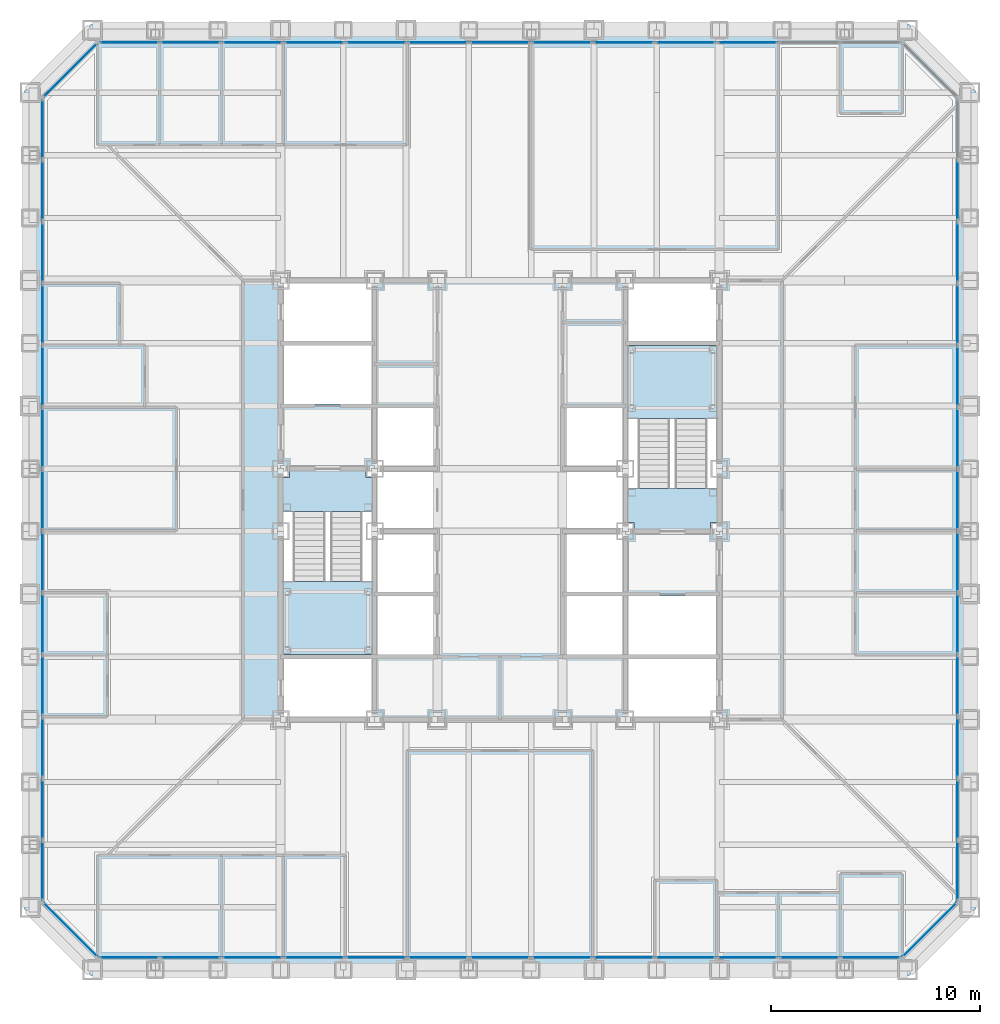
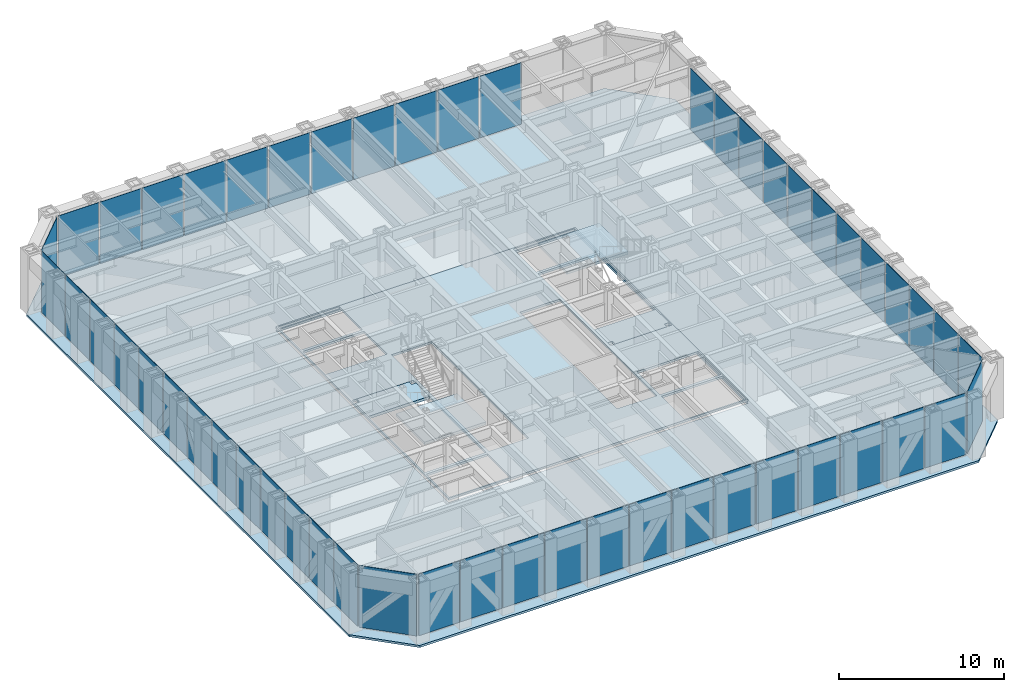
# One storey, part 7 of 17: 52 plates, 6 slabs, 9 elements without a shape of their own.
"""IFC4 building model written with IfcOpenShell, lengths in metres."""

from ifc_helpers import new_model, si_unit, direction, frame, origin, origin_2d, place, context, subcontext, project, spatial, polyline, rectangle, outline, extrude, material, layer, layer_set, type_object, element, aggregate, save


model = new_model("IFC4")

# Units and contexts
model_context = context("Model", 3, precision=1e-05, world=origin(), true_north=direction((0.0, 1.0)))
body_context = subcontext(model_context, "Body", "Model", "MODEL_VIEW")
ifc_project = project(units=[si_unit("LENGTHUNIT", "METRE"), si_unit("AREAUNIT", "SQUARE_METRE"), si_unit("VOLUMEUNIT", "CUBIC_METRE"), si_unit("PLANEANGLEUNIT", "RADIAN"), si_unit("MASSUNIT", "GRAM", prefix="KILO")], contexts=[model_context])

# Site, building, storey
site_placement = place(None, origin())
site = spatial("IfcSite", under=ifc_project, at=site_placement, CompositionType="ELEMENT")
building_placement = place(site_placement, origin())
building = spatial("IfcBuilding", under=site, at=building_placement, Name="Chuquiago Exchange Tower", CompositionType="ELEMENT")
storey_placement = place(building_placement, frame((0.0, 0.0, 91.800048828125)))
storey = spatial("IfcBuildingStorey", under=building, at=storey_placement, Name="L19", CompositionType="ELEMENT", Elevation=91.800048828125)

# Curtain wall, plates
ifc_material_1 = material(Name="Aluminium curtain wall system", Category="aluminium")
ifc_layer_1 = layer(ifc_material_1, 0.25)
ifc_layer_set_1 = layer_set([ifc_layer_1], Name="CW1 trading floor curtain wall")
curtain_wall_type_1 = type_object("IfcCurtainWallType", Name="CW1 trading floor curtain wall", PredefinedType="NOTDEFINED", material=ifc_layer_set_1)
curtain_wall_1_placement = place(storey_placement, origin())
curtain_wall_1 = element("IfcCurtainWall", 1, at=curtain_wall_1_placement, inside=storey, type_object=curtain_wall_type_1, Name="CW1 curtain wall L19", PredefinedType="NOTDEFINED")
ifc_material_2 = material(Name="Glass, insulating unit", Category="glass")
ifc_layer_2 = layer(ifc_material_2, 0.031982421875)
ifc_layer_set_2 = layer_set([ifc_layer_2], Name="CW1-P panel 32")
plate_type_1 = type_object("IfcPlateType", Name="CW1-P panel 32", PredefinedType="CURTAIN_PANEL", material=ifc_layer_set_2)
plate_1_placement = place(storey_placement, frame((10.65283203125, 0.60009765625, -0.22509765625), z_axis=(0.0, 0.0, 1.0), x_axis=(1.0, 0.0, 0.0)))
plate_1 = element("IfcPlate", 2, at=plate_1_placement, type_object=plate_type_1, Name="CW1 panel 3.1", PredefinedType="CURTAIN_PANEL", context=body_context, shape_type="SweptSolid", body=[
    extrude(rectangle(XDim=2.88671875, YDim=0.031982421875, at=origin_2d()), origin(), (0.0, 0.0, 1.0), 4.56494140625),
])
plate_2_placement = place(storey_placement, frame((13.61474609375, 0.60009765625, -0.22509765625), z_axis=(0.0, 0.0, 1.0), x_axis=(1.0, 0.0, 0.0)))
plate_2 = element("IfcPlate", 3, at=plate_2_placement, type_object=plate_type_1, Name="CW1 panel 4.1", PredefinedType="CURTAIN_PANEL", context=body_context, shape_type="SweptSolid", body=[
    extrude(rectangle(XDim=2.88671875, YDim=0.031982421875, at=origin_2d()), origin(), (0.0, 0.0, 1.0), 4.56494140625),
])
plate_3_placement = place(storey_placement, frame((25.461669921875, 0.60009765625, -0.22509765625), z_axis=(0.0, 0.0, 1.0), x_axis=(1.0, 0.0, 0.0)))
plate_3 = element("IfcPlate", 4, at=plate_3_placement, type_object=plate_type_1, Name="CW1 panel 8.1", PredefinedType="CURTAIN_PANEL", context=body_context, shape_type="SweptSolid", body=[
    extrude(rectangle(XDim=2.88671875, YDim=0.031982421875, at=origin_2d()), origin(), (0.0, 0.0, 1.0), 4.56494140625),
])
plate_4_placement = place(storey_placement, frame((28.423583984375, 0.60009765625, -0.22509765625), z_axis=(0.0, 0.0, 1.0), x_axis=(1.0, 0.0, 0.0)))
plate_4 = element("IfcPlate", 5, at=plate_4_placement, type_object=plate_type_1, Name="CW1 panel 9.1", PredefinedType="CURTAIN_PANEL", context=body_context, shape_type="SweptSolid", body=[
    extrude(rectangle(XDim=2.88671875, YDim=0.031982421875, at=origin_2d()), origin(), (0.0, 0.0, 1.0), 4.56494140625),
])
plate_5_placement = place(storey_placement, frame((31.38525390625, 0.60009765625, -0.22509765625), z_axis=(0.0, 0.0, 1.0), x_axis=(1.0, 0.0, 0.0)))
plate_5 = element("IfcPlate", 6, at=plate_5_placement, type_object=plate_type_1, Name="CW1 panel 10.1", PredefinedType="CURTAIN_PANEL", context=body_context, shape_type="SweptSolid", body=[
    extrude(rectangle(XDim=2.88671875, YDim=0.031982421875, at=origin_2d()), origin(), (0.0, 0.0, 1.0), 4.56494140625),
])
plate_6_placement = place(storey_placement, frame((34.34716796875, 0.60009765625, -0.22509765625), z_axis=(0.0, 0.0, 1.0), x_axis=(1.0, 0.0, 0.0)))
plate_6 = element("IfcPlate", 7, at=plate_6_placement, type_object=plate_type_1, Name="CW1 panel 11.1", PredefinedType="CURTAIN_PANEL", context=body_context, shape_type="SweptSolid", body=[
    extrude(rectangle(XDim=2.88671875, YDim=0.031982421875, at=origin_2d()), origin(), (0.0, 0.0, 1.0), 4.56494140625),
])

curtain_wall_2_placement = place(storey_placement, origin())
curtain_wall_2 = element("IfcCurtainWall", 8, at=curtain_wall_2_placement, inside=storey, type_object=curtain_wall_type_1, Name="CW1 curtain wall L19", PredefinedType="NOTDEFINED")
plate_7_placement = place(storey_placement, frame((44.39990234375, 10.65283203125, -0.22509765625), z_axis=(0.0, 0.0, 1.0), x_axis=(0.0, 1.0, 0.0)))
plate_7 = element("IfcPlate", 9, at=plate_7_placement, type_object=plate_type_1, Name="CW1 panel 3.1", PredefinedType="CURTAIN_PANEL", context=body_context, shape_type="SweptSolid", body=[
    extrude(rectangle(XDim=2.88671875, YDim=0.031982421875, at=origin_2d()), origin(), (0.0, 0.0, 1.0), 4.56494140625),
])
plate_8_placement = place(storey_placement, frame((44.39990234375, 13.61474609375, -0.22509765625), z_axis=(0.0, 0.0, 1.0), x_axis=(0.0, 1.0, 0.0)))
plate_8 = element("IfcPlate", 10, at=plate_8_placement, type_object=plate_type_1, Name="CW1 panel 4.1", PredefinedType="CURTAIN_PANEL", context=body_context, shape_type="SweptSolid", body=[
    extrude(rectangle(XDim=2.88671875, YDim=0.031982421875, at=origin_2d()), origin(), (0.0, 0.0, 1.0), 4.56494140625),
])
plate_9_placement = place(storey_placement, frame((44.39990234375, 16.576416015625, -0.22509765625), z_axis=(0.0, 0.0, 1.0), x_axis=(0.0, 1.0, 0.0)))
plate_9 = element("IfcPlate", 11, at=plate_9_placement, type_object=plate_type_1, Name="CW1 panel 5.1", PredefinedType="CURTAIN_PANEL", context=body_context, shape_type="SweptSolid", body=[
    extrude(rectangle(XDim=2.88671875, YDim=0.031982421875, at=origin_2d()), origin(), (0.0, 0.0, 1.0), 4.56494140625),
])
plate_10_placement = place(storey_placement, frame((44.39990234375, 25.461669921875, -0.22509765625), z_axis=(0.0, 0.0, 1.0), x_axis=(0.0, 1.0, 0.0)))
plate_10 = element("IfcPlate", 12, at=plate_10_placement, type_object=plate_type_1, Name="CW1 panel 8.1", PredefinedType="CURTAIN_PANEL", context=body_context, shape_type="SweptSolid", body=[
    extrude(rectangle(XDim=2.88671875, YDim=0.031982421875, at=origin_2d()), origin(), (0.0, 0.0, 1.0), 4.56494140625),
])
plate_11_placement = place(storey_placement, frame((44.39990234375, 31.38525390625, -0.22509765625), z_axis=(0.0, 0.0, 1.0), x_axis=(0.0, 1.0, 0.0)))
plate_11 = element("IfcPlate", 13, at=plate_11_placement, type_object=plate_type_1, Name="CW1 panel 10.1", PredefinedType="CURTAIN_PANEL", context=body_context, shape_type="SweptSolid", body=[
    extrude(rectangle(XDim=2.88671875, YDim=0.031982421875, at=origin_2d()), origin(), (0.0, 0.0, 1.0), 4.56494140625),
])
plate_12_placement = place(storey_placement, frame((44.39990234375, 34.34716796875, -0.22509765625), z_axis=(0.0, 0.0, 1.0), x_axis=(0.0, 1.0, 0.0)))
plate_12 = element("IfcPlate", 14, at=plate_12_placement, type_object=plate_type_1, Name="CW1 panel 11.1", PredefinedType="CURTAIN_PANEL", context=body_context, shape_type="SweptSolid", body=[
    extrude(rectangle(XDim=2.88671875, YDim=0.031982421875, at=origin_2d()), origin(), (0.0, 0.0, 1.0), 4.56494140625),
])

curtain_wall_3_placement = place(storey_placement, origin())
curtain_wall_3 = element("IfcCurtainWall", 15, at=curtain_wall_3_placement, inside=storey, type_object=curtain_wall_type_1, Name="CW1 curtain wall L19", PredefinedType="NOTDEFINED")
plate_13_placement = place(storey_placement, frame((34.34716796875, 44.39990234375, -0.22509765625), z_axis=(0.0, 0.0, 1.0), x_axis=(-1.0, 0.0, 0.0)))
plate_13 = element("IfcPlate", 16, at=plate_13_placement, type_object=plate_type_1, Name="CW1 panel 3.1", PredefinedType="CURTAIN_PANEL", context=body_context, shape_type="SweptSolid", body=[
    extrude(rectangle(XDim=2.88671875, YDim=0.031982421875, at=origin_2d()), origin(), (0.0, 0.0, 1.0), 4.56494140625),
])
plate_14_placement = place(storey_placement, frame((31.38525390625, 44.39990234375, -0.22509765625), z_axis=(0.0, 0.0, 1.0), x_axis=(-1.0, 0.0, 0.0)))
plate_14 = element("IfcPlate", 17, at=plate_14_placement, type_object=plate_type_1, Name="CW1 panel 4.1", PredefinedType="CURTAIN_PANEL", context=body_context, shape_type="SweptSolid", body=[
    extrude(rectangle(XDim=2.88671875, YDim=0.031982421875, at=origin_2d()), origin(), (0.0, 0.0, 1.0), 4.56494140625),
])
plate_15_placement = place(storey_placement, frame((19.538330078125, 44.39990234375, -0.22509765625), z_axis=(0.0, 0.0, 1.0), x_axis=(-1.0, 0.0, 0.0)))
plate_15 = element("IfcPlate", 18, at=plate_15_placement, type_object=plate_type_1, Name="CW1 panel 8.1", PredefinedType="CURTAIN_PANEL", context=body_context, shape_type="SweptSolid", body=[
    extrude(rectangle(XDim=2.88671875, YDim=0.031982421875, at=origin_2d()), origin(), (0.0, 0.0, 1.0), 4.56494140625),
])
plate_16_placement = place(storey_placement, frame((16.576416015625, 44.39990234375, -0.22509765625), z_axis=(0.0, 0.0, 1.0), x_axis=(-1.0, 0.0, 0.0)))
plate_16 = element("IfcPlate", 19, at=plate_16_placement, type_object=plate_type_1, Name="CW1 panel 9.1", PredefinedType="CURTAIN_PANEL", context=body_context, shape_type="SweptSolid", body=[
    extrude(rectangle(XDim=2.88671875, YDim=0.031982421875, at=origin_2d()), origin(), (0.0, 0.0, 1.0), 4.56494140625),
])
plate_17_placement = place(storey_placement, frame((13.61474609375, 44.39990234375, -0.22509765625), z_axis=(0.0, 0.0, 1.0), x_axis=(-1.0, 0.0, 0.0)))
plate_17 = element("IfcPlate", 20, at=plate_17_placement, type_object=plate_type_1, Name="CW1 panel 10.1", PredefinedType="CURTAIN_PANEL", context=body_context, shape_type="SweptSolid", body=[
    extrude(rectangle(XDim=2.88671875, YDim=0.031982421875, at=origin_2d()), origin(), (0.0, 0.0, 1.0), 4.56494140625),
])
plate_18_placement = place(storey_placement, frame((10.65283203125, 44.39990234375, -0.22509765625), z_axis=(0.0, 0.0, 1.0), x_axis=(-1.0, 0.0, 0.0)))
plate_18 = element("IfcPlate", 21, at=plate_18_placement, type_object=plate_type_1, Name="CW1 panel 11.1", PredefinedType="CURTAIN_PANEL", context=body_context, shape_type="SweptSolid", body=[
    extrude(rectangle(XDim=2.88671875, YDim=0.031982421875, at=origin_2d()), origin(), (0.0, 0.0, 1.0), 4.56494140625),
])

curtain_wall_4_placement = place(storey_placement, origin())
curtain_wall_4 = element("IfcCurtainWall", 22, at=curtain_wall_4_placement, inside=storey, type_object=curtain_wall_type_1, Name="CW1 curtain wall L19", PredefinedType="NOTDEFINED")
plate_19_placement = place(storey_placement, frame((0.60009765625, 34.34716796875, -0.22509765625), z_axis=(0.0, 0.0, 1.0), x_axis=(0.0, -1.0, 0.0)))
plate_19 = element("IfcPlate", 23, at=plate_19_placement, type_object=plate_type_1, Name="CW1 panel 3.1", PredefinedType="CURTAIN_PANEL", context=body_context, shape_type="SweptSolid", body=[
    extrude(rectangle(XDim=2.88671875, YDim=0.031982421875, at=origin_2d()), origin(), (0.0, 0.0, 1.0), 4.56494140625),
])
plate_20_placement = place(storey_placement, frame((0.60009765625, 31.38525390625, -0.22509765625), z_axis=(0.0, 0.0, 1.0), x_axis=(0.0, -1.0, 0.0)))
plate_20 = element("IfcPlate", 24, at=plate_20_placement, type_object=plate_type_1, Name="CW1 panel 4.1", PredefinedType="CURTAIN_PANEL", context=body_context, shape_type="SweptSolid", body=[
    extrude(rectangle(XDim=2.88671875, YDim=0.031982421875, at=origin_2d()), origin(), (0.0, 0.0, 1.0), 4.56494140625),
])
plate_21_placement = place(storey_placement, frame((0.60009765625, 28.423583984375, -0.22509765625), z_axis=(0.0, 0.0, 1.0), x_axis=(0.0, -1.0, 0.0)))
plate_21 = element("IfcPlate", 25, at=plate_21_placement, type_object=plate_type_1, Name="CW1 panel 5.1", PredefinedType="CURTAIN_PANEL", context=body_context, shape_type="SweptSolid", body=[
    extrude(rectangle(XDim=2.88671875, YDim=0.031982421875, at=origin_2d()), origin(), (0.0, 0.0, 1.0), 4.56494140625),
])
plate_22_placement = place(storey_placement, frame((0.60009765625, 19.538330078125, -0.22509765625), z_axis=(0.0, 0.0, 1.0), x_axis=(0.0, -1.0, 0.0)))
plate_22 = element("IfcPlate", 26, at=plate_22_placement, type_object=plate_type_1, Name="CW1 panel 8.1", PredefinedType="CURTAIN_PANEL", context=body_context, shape_type="SweptSolid", body=[
    extrude(rectangle(XDim=2.88671875, YDim=0.031982421875, at=origin_2d()), origin(), (0.0, 0.0, 1.0), 4.56494140625),
])
plate_23_placement = place(storey_placement, frame((0.60009765625, 13.61474609375, -0.22509765625), z_axis=(0.0, 0.0, 1.0), x_axis=(0.0, -1.0, 0.0)))
plate_23 = element("IfcPlate", 27, at=plate_23_placement, type_object=plate_type_1, Name="CW1 panel 10.1", PredefinedType="CURTAIN_PANEL", context=body_context, shape_type="SweptSolid", body=[
    extrude(rectangle(XDim=2.88671875, YDim=0.031982421875, at=origin_2d()), origin(), (0.0, 0.0, 1.0), 4.56494140625),
])
plate_24_placement = place(storey_placement, frame((0.60009765625, 10.65283203125, -0.22509765625), z_axis=(0.0, 0.0, 1.0), x_axis=(0.0, -1.0, 0.0)))
plate_24 = element("IfcPlate", 28, at=plate_24_placement, type_object=plate_type_1, Name="CW1 panel 11.1", PredefinedType="CURTAIN_PANEL", context=body_context, shape_type="SweptSolid", body=[
    extrude(rectangle(XDim=2.88671875, YDim=0.031982421875, at=origin_2d()), origin(), (0.0, 0.0, 1.0), 4.56494140625),
])

# Plate
ifc_material_3 = material(Name="Insulated spandrel panel, pale anodised aluminium", Category="aluminium")
ifc_layer_3 = layer(ifc_material_3, 0.031982421875)
ifc_layer_set_3 = layer_set([ifc_layer_3], Name="CW1-P spandrel panel 32")
plate_type_2 = type_object("IfcPlateType", Name="CW1-P spandrel panel 32", PredefinedType="CURTAIN_PANEL", material=ifc_layer_set_3)
plate_25_placement = place(storey_placement, frame((4.748046875, 0.60009765625, -0.22509765625), z_axis=(0.0, 0.0, 1.0), x_axis=(1.0, 0.0, 0.0)))
plate_25 = element("IfcPlate", 29, at=plate_25_placement, type_object=plate_type_2, Name="CW1 panel 1.1", PredefinedType="CURTAIN_PANEL", context=body_context, shape_type="SweptSolid", body=[
    extrude(rectangle(XDim=2.849365234375, YDim=0.031982421875, at=origin_2d()), origin(), (0.0, 0.0, 1.0), 4.56494140625),
])

plate_26_placement = place(storey_placement, frame((7.691162109375, 0.60009765625, -0.22509765625), z_axis=(0.0, 0.0, 1.0), x_axis=(1.0, 0.0, 0.0)))
plate_26 = element("IfcPlate", 30, at=plate_26_placement, type_object=plate_type_2, Name="CW1 panel 2.1", PredefinedType="CURTAIN_PANEL", context=body_context, shape_type="SweptSolid", body=[
    extrude(rectangle(XDim=2.88671875, YDim=0.031982421875, at=origin_2d()), origin(), (0.0, 0.0, 1.0), 4.56494140625),
])

plate_27_placement = place(storey_placement, frame((16.576416015625, 0.60009765625, -0.22509765625), z_axis=(0.0, 0.0, 1.0), x_axis=(1.0, 0.0, 0.0)))
plate_27 = element("IfcPlate", 31, at=plate_27_placement, type_object=plate_type_2, Name="CW1 panel 5.1", PredefinedType="CURTAIN_PANEL", context=body_context, shape_type="SweptSolid", body=[
    extrude(rectangle(XDim=2.88671875, YDim=0.031982421875, at=origin_2d()), origin(), (0.0, 0.0, 1.0), 4.56494140625),
])

plate_28_placement = place(storey_placement, frame((19.538330078125, 0.60009765625, -0.22509765625), z_axis=(0.0, 0.0, 1.0), x_axis=(1.0, 0.0, 0.0)))
plate_28 = element("IfcPlate", 32, at=plate_28_placement, type_object=plate_type_2, Name="CW1 panel 6.1", PredefinedType="CURTAIN_PANEL", context=body_context, shape_type="SweptSolid", body=[
    extrude(rectangle(XDim=2.88671875, YDim=0.031982421875, at=origin_2d()), origin(), (0.0, 0.0, 1.0), 4.56494140625),
])

plate_29_placement = place(storey_placement, frame((22.5, 0.60009765625, -0.22509765625), z_axis=(0.0, 0.0, 1.0), x_axis=(1.0, 0.0, 0.0)))
plate_29 = element("IfcPlate", 33, at=plate_29_placement, type_object=plate_type_2, Name="CW1 panel 7.1", PredefinedType="CURTAIN_PANEL", context=body_context, shape_type="SweptSolid", body=[
    extrude(rectangle(XDim=2.88671875, YDim=0.031982421875, at=origin_2d()), origin(), (0.0, 0.0, 1.0), 4.56494140625),
])

plate_30_placement = place(storey_placement, frame((37.308837890625, 0.60009765625, -0.22509765625), z_axis=(0.0, 0.0, 1.0), x_axis=(1.0, 0.0, 0.0)))
plate_30 = element("IfcPlate", 34, at=plate_30_placement, type_object=plate_type_2, Name="CW1 panel 12.1", PredefinedType="CURTAIN_PANEL", context=body_context, shape_type="SweptSolid", body=[
    extrude(rectangle(XDim=2.88671875, YDim=0.031982421875, at=origin_2d()), origin(), (0.0, 0.0, 1.0), 4.56494140625),
])

plate_31_placement = place(storey_placement, frame((40.251953125, 0.60009765625, -0.22509765625), z_axis=(0.0, 0.0, 1.0), x_axis=(1.0, 0.0, 0.0)))
plate_31 = element("IfcPlate", 35, at=plate_31_placement, type_object=plate_type_2, Name="CW1 panel 13.1", PredefinedType="CURTAIN_PANEL", context=body_context, shape_type="SweptSolid", body=[
    extrude(rectangle(XDim=2.849365234375, YDim=0.031982421875, at=origin_2d()), origin(), (0.0, 0.0, 1.0), 4.56494140625),
])

aggregate(curtain_wall_1, [plate_25, plate_26, plate_1, plate_2, plate_27, plate_28, plate_29, plate_3, plate_4, plate_5, plate_6, plate_30, plate_31])

plate_32_placement = place(storey_placement, frame((44.39990234375, 4.748046875, -0.22509765625), z_axis=(0.0, 0.0, 1.0), x_axis=(0.0, 1.0, 0.0)))
plate_32 = element("IfcPlate", 36, at=plate_32_placement, type_object=plate_type_2, Name="CW1 panel 1.1", PredefinedType="CURTAIN_PANEL", context=body_context, shape_type="SweptSolid", body=[
    extrude(rectangle(XDim=2.849365234375, YDim=0.031982421875, at=origin_2d()), origin(), (0.0, 0.0, 1.0), 4.56494140625),
])

plate_33_placement = place(storey_placement, frame((44.39990234375, 7.691162109375, -0.22509765625), z_axis=(0.0, 0.0, 1.0), x_axis=(0.0, 1.0, 0.0)))
plate_33 = element("IfcPlate", 37, at=plate_33_placement, type_object=plate_type_2, Name="CW1 panel 2.1", PredefinedType="CURTAIN_PANEL", context=body_context, shape_type="SweptSolid", body=[
    extrude(rectangle(XDim=2.88671875, YDim=0.031982421875, at=origin_2d()), origin(), (0.0, 0.0, 1.0), 4.56494140625),
])

plate_34_placement = place(storey_placement, frame((44.39990234375, 19.538330078125, -0.22509765625), z_axis=(0.0, 0.0, 1.0), x_axis=(0.0, 1.0, 0.0)))
plate_34 = element("IfcPlate", 38, at=plate_34_placement, type_object=plate_type_2, Name="CW1 panel 6.1", PredefinedType="CURTAIN_PANEL", context=body_context, shape_type="SweptSolid", body=[
    extrude(rectangle(XDim=2.88671875, YDim=0.031982421875, at=origin_2d()), origin(), (0.0, 0.0, 1.0), 4.56494140625),
])

plate_35_placement = place(storey_placement, frame((44.39990234375, 22.5, -0.22509765625), z_axis=(0.0, 0.0, 1.0), x_axis=(0.0, 1.0, 0.0)))
plate_35 = element("IfcPlate", 39, at=plate_35_placement, type_object=plate_type_2, Name="CW1 panel 7.1", PredefinedType="CURTAIN_PANEL", context=body_context, shape_type="SweptSolid", body=[
    extrude(rectangle(XDim=2.88671875, YDim=0.031982421875, at=origin_2d()), origin(), (0.0, 0.0, 1.0), 4.56494140625),
])

plate_36_placement = place(storey_placement, frame((44.39990234375, 28.423583984375, -0.22509765625), z_axis=(0.0, 0.0, 1.0), x_axis=(0.0, 1.0, 0.0)))
plate_36 = element("IfcPlate", 40, at=plate_36_placement, type_object=plate_type_2, Name="CW1 panel 9.1", PredefinedType="CURTAIN_PANEL", context=body_context, shape_type="SweptSolid", body=[
    extrude(rectangle(XDim=2.88671875, YDim=0.031982421875, at=origin_2d()), origin(), (0.0, 0.0, 1.0), 4.56494140625),
])

plate_37_placement = place(storey_placement, frame((44.39990234375, 37.308837890625, -0.22509765625), z_axis=(0.0, 0.0, 1.0), x_axis=(0.0, 1.0, 0.0)))
plate_37 = element("IfcPlate", 41, at=plate_37_placement, type_object=plate_type_2, Name="CW1 panel 12.1", PredefinedType="CURTAIN_PANEL", context=body_context, shape_type="SweptSolid", body=[
    extrude(rectangle(XDim=2.88671875, YDim=0.031982421875, at=origin_2d()), origin(), (0.0, 0.0, 1.0), 4.56494140625),
])

aggregate(curtain_wall_2, [plate_32, plate_33, plate_7, plate_8, plate_9, plate_34, plate_35, plate_10, plate_36, plate_11, plate_12, plate_37])

plate_38_placement = place(storey_placement, frame((28.423583984375, 44.39990234375, -0.22509765625), z_axis=(0.0, 0.0, 1.0), x_axis=(-1.0, 0.0, 0.0)))
plate_38 = element("IfcPlate", 42, at=plate_38_placement, type_object=plate_type_2, Name="CW1 panel 5.1", PredefinedType="CURTAIN_PANEL", context=body_context, shape_type="SweptSolid", body=[
    extrude(rectangle(XDim=2.88671875, YDim=0.031982421875, at=origin_2d()), origin(), (0.0, 0.0, 1.0), 4.56494140625),
])

plate_39_placement = place(storey_placement, frame((25.461669921875, 44.39990234375, -0.22509765625), z_axis=(0.0, 0.0, 1.0), x_axis=(-1.0, 0.0, 0.0)))
plate_39 = element("IfcPlate", 43, at=plate_39_placement, type_object=plate_type_2, Name="CW1 panel 6.1", PredefinedType="CURTAIN_PANEL", context=body_context, shape_type="SweptSolid", body=[
    extrude(rectangle(XDim=2.88671875, YDim=0.031982421875, at=origin_2d()), origin(), (0.0, 0.0, 1.0), 4.56494140625),
])

plate_40_placement = place(storey_placement, frame((22.5, 44.39990234375, -0.22509765625), z_axis=(0.0, 0.0, 1.0), x_axis=(-1.0, 0.0, 0.0)))
plate_40 = element("IfcPlate", 44, at=plate_40_placement, type_object=plate_type_2, Name="CW1 panel 7.1", PredefinedType="CURTAIN_PANEL", context=body_context, shape_type="SweptSolid", body=[
    extrude(rectangle(XDim=2.88671875, YDim=0.031982421875, at=origin_2d()), origin(), (0.0, 0.0, 1.0), 4.56494140625),
])

plate_41_placement = place(storey_placement, frame((7.691162109375, 44.39990234375, -0.22509765625), z_axis=(0.0, 0.0, 1.0), x_axis=(-1.0, 0.0, 0.0)))
plate_41 = element("IfcPlate", 45, at=plate_41_placement, type_object=plate_type_2, Name="CW1 panel 12.1", PredefinedType="CURTAIN_PANEL", context=body_context, shape_type="SweptSolid", body=[
    extrude(rectangle(XDim=2.88671875, YDim=0.031982421875, at=origin_2d()), origin(), (0.0, 0.0, 1.0), 4.56494140625),
])

plate_42_placement = place(storey_placement, frame((4.748046875, 44.39990234375, -0.22509765625), z_axis=(0.0, 0.0, 1.0), x_axis=(-1.0, 0.0, 0.0)))
plate_42 = element("IfcPlate", 46, at=plate_42_placement, type_object=plate_type_2, Name="CW1 panel 13.1", PredefinedType="CURTAIN_PANEL", context=body_context, shape_type="SweptSolid", body=[
    extrude(rectangle(XDim=2.849365234375, YDim=0.031982421875, at=origin_2d()), origin(), (0.0, 0.0, 1.0), 4.56494140625),
])

aggregate(curtain_wall_3, [plate_13, plate_14, plate_38, plate_39, plate_40, plate_15, plate_16, plate_17, plate_18, plate_41, plate_42])

plate_43_placement = place(storey_placement, frame((0.60009765625, 40.251953125, -0.22509765625), z_axis=(0.0, 0.0, 1.0), x_axis=(0.0, -1.0, 0.0)))
plate_43 = element("IfcPlate", 47, at=plate_43_placement, type_object=plate_type_2, Name="CW1 panel 1.1", PredefinedType="CURTAIN_PANEL", context=body_context, shape_type="SweptSolid", body=[
    extrude(rectangle(XDim=2.849365234375, YDim=0.031982421875, at=origin_2d()), origin(), (0.0, 0.0, 1.0), 4.56494140625),
])

plate_44_placement = place(storey_placement, frame((0.60009765625, 37.308837890625, -0.22509765625), z_axis=(0.0, 0.0, 1.0), x_axis=(0.0, -1.0, 0.0)))
plate_44 = element("IfcPlate", 48, at=plate_44_placement, type_object=plate_type_2, Name="CW1 panel 2.1", PredefinedType="CURTAIN_PANEL", context=body_context, shape_type="SweptSolid", body=[
    extrude(rectangle(XDim=2.88671875, YDim=0.031982421875, at=origin_2d()), origin(), (0.0, 0.0, 1.0), 4.56494140625),
])

plate_45_placement = place(storey_placement, frame((0.60009765625, 25.461669921875, -0.22509765625), z_axis=(0.0, 0.0, 1.0), x_axis=(0.0, -1.0, 0.0)))
plate_45 = element("IfcPlate", 49, at=plate_45_placement, type_object=plate_type_2, Name="CW1 panel 6.1", PredefinedType="CURTAIN_PANEL", context=body_context, shape_type="SweptSolid", body=[
    extrude(rectangle(XDim=2.88671875, YDim=0.031982421875, at=origin_2d()), origin(), (0.0, 0.0, 1.0), 4.56494140625),
])

plate_46_placement = place(storey_placement, frame((0.60009765625, 22.5, -0.22509765625), z_axis=(0.0, 0.0, 1.0), x_axis=(0.0, -1.0, 0.0)))
plate_46 = element("IfcPlate", 50, at=plate_46_placement, type_object=plate_type_2, Name="CW1 panel 7.1", PredefinedType="CURTAIN_PANEL", context=body_context, shape_type="SweptSolid", body=[
    extrude(rectangle(XDim=2.88671875, YDim=0.031982421875, at=origin_2d()), origin(), (0.0, 0.0, 1.0), 4.56494140625),
])

plate_47_placement = place(storey_placement, frame((0.60009765625, 16.576416015625, -0.22509765625), z_axis=(0.0, 0.0, 1.0), x_axis=(0.0, -1.0, 0.0)))
plate_47 = element("IfcPlate", 51, at=plate_47_placement, type_object=plate_type_2, Name="CW1 panel 9.1", PredefinedType="CURTAIN_PANEL", context=body_context, shape_type="SweptSolid", body=[
    extrude(rectangle(XDim=2.88671875, YDim=0.031982421875, at=origin_2d()), origin(), (0.0, 0.0, 1.0), 4.56494140625),
])

plate_48_placement = place(storey_placement, frame((0.60009765625, 7.691162109375, -0.22509765625), z_axis=(0.0, 0.0, 1.0), x_axis=(0.0, -1.0, 0.0)))
plate_48 = element("IfcPlate", 52, at=plate_48_placement, type_object=plate_type_2, Name="CW1 panel 12.1", PredefinedType="CURTAIN_PANEL", context=body_context, shape_type="SweptSolid", body=[
    extrude(rectangle(XDim=2.88671875, YDim=0.031982421875, at=origin_2d()), origin(), (0.0, 0.0, 1.0), 4.56494140625),
])

plate_49_placement = place(storey_placement, frame((0.60009765625, 4.748046875, -0.22509765625), z_axis=(0.0, 0.0, 1.0), x_axis=(0.0, -1.0, 0.0)))
plate_49 = element("IfcPlate", 53, at=plate_49_placement, type_object=plate_type_2, Name="CW1 panel 13.1", PredefinedType="CURTAIN_PANEL", context=body_context, shape_type="SweptSolid", body=[
    extrude(rectangle(XDim=2.849365234375, YDim=0.031982421875, at=origin_2d()), origin(), (0.0, 0.0, 1.0), 4.56494140625),
])

aggregate(curtain_wall_4, [plate_43, plate_44, plate_19, plate_20, plate_21, plate_45, plate_46, plate_22, plate_47, plate_23, plate_24, plate_48, plate_49])

# Curtain wall, plate
ifc_material_4 = material(Name="Aluminium curtain wall system", Category="aluminium")
ifc_layer_4 = layer(ifc_material_4, 0.199951171875)
ifc_layer_set_4 = layer_set([ifc_layer_4], Name="CW3 facet curtain wall")
curtain_wall_type_2 = type_object("IfcCurtainWallType", Name="CW3 facet curtain wall", PredefinedType="NOTDEFINED", material=ifc_layer_set_4)
curtain_wall_5_placement = place(storey_placement, origin())
curtain_wall_5 = element("IfcCurtainWall", 54, at=curtain_wall_5_placement, inside=storey, type_object=curtain_wall_type_2, Name="CW3 curtain wall L19", PredefinedType="NOTDEFINED")
ifc_material_5 = material(Name="Insulated spandrel panel, pale anodised aluminium", Category="aluminium")
ifc_layer_5 = layer(ifc_material_5, 0.030029296875)
ifc_layer_set_5 = layer_set([ifc_layer_5], Name="CW3-P spandrel panel 30")
plate_type_3 = type_object("IfcPlateType", Name="CW3-P spandrel panel 30", PredefinedType="CURTAIN_PANEL", material=ifc_layer_set_5)
plate_50_placement = place(storey_placement, frame((43.07568359375, 1.92431640625, -0.23486328125), z_axis=(0.0, 0.0, 1.0), x_axis=(0.707106781187, 0.707106781187, 0.0)))
plate_50 = element("IfcPlate", 55, at=plate_50_placement, type_object=plate_type_3, Name="CW3 panel 1.1", PredefinedType="CURTAIN_PANEL", context=body_context, shape_type="SweptSolid", body=[
    extrude(rectangle(XDim=3.615478515625, YDim=0.030029296875, at=origin_2d()), origin(), (0.0, 0.0, 1.0), 4.574951171875),
])
aggregate(curtain_wall_5, [plate_50])

curtain_wall_6_placement = place(storey_placement, origin())
curtain_wall_6 = element("IfcCurtainWall", 56, at=curtain_wall_6_placement, inside=storey, type_object=curtain_wall_type_2, Name="CW3 curtain wall L19", PredefinedType="NOTDEFINED")
plate_51_placement = place(storey_placement, frame((1.92431640625, 43.07568359375, -0.23486328125), z_axis=(0.0, 0.0, 1.0), x_axis=(-0.707106781187, -0.707106781187, 0.0)))
plate_51 = element("IfcPlate", 57, at=plate_51_placement, type_object=plate_type_3, Name="CW3 panel 1.1", PredefinedType="CURTAIN_PANEL", context=body_context, shape_type="SweptSolid", body=[
    extrude(rectangle(XDim=3.615478515625, YDim=0.030029296875, at=origin_2d()), origin(), (0.0, 0.0, 1.0), 4.574951171875),
])
aggregate(curtain_wall_6, [plate_51])

curtain_wall_7_placement = place(storey_placement, origin())
curtain_wall_7 = element("IfcCurtainWall", 58, at=curtain_wall_7_placement, inside=storey, type_object=curtain_wall_type_2, Name="CW3 curtain wall L19", PredefinedType="NOTDEFINED")
plate_52_placement = place(storey_placement, frame((1.92431640625, 1.92431640625, -0.23486328125), z_axis=(0.0, 0.0, 1.0), x_axis=(0.707106781187, -0.707106781187, 0.0)))
plate_52 = element("IfcPlate", 59, at=plate_52_placement, type_object=plate_type_3, Name="CW3 panel 1.1", PredefinedType="CURTAIN_PANEL", context=body_context, shape_type="SweptSolid", body=[
    extrude(rectangle(XDim=3.615478515625, YDim=0.030029296875, at=origin_2d()), origin(), (0.0, 0.0, 1.0), 4.574951171875),
])
aggregate(curtain_wall_7, [plate_52])

# Slabs
ifc_material_6 = material(Name="Concrete C30/37", Category="concrete")
ifc_layer_6 = layer(ifc_material_6, 0.159912109375)
ifc_layer_set_6 = layer_set([ifc_layer_6], Name="FS1 composite floor 160")
slab_type_1 = type_object("IfcSlabType", Name="FS1 composite floor 160", PredefinedType="FLOOR", material=ifc_layer_set_6)
slab_1_placement = place(storey_placement, frame((0.0, 0.0, -0.4599609375)))
element("IfcSlab", 60, at=slab_1_placement, inside=storey, type_object=slab_type_1, Name="L19 floor slab, lowered under the raised floor", PredefinedType="FLOOR", context=body_context, shape_type="SweptSolid", body=[
    extrude(outline(polyline([(-0.25, 2.896484375), (-0.25, 42.103515625), (2.896484375, 45.25), (42.103515625, 45.25), (45.25, 42.103515625), (45.25, 2.896484375), (42.103515625, -0.25), (2.896484375, -0.25), (-0.25, 2.896484375)]), holes=[polyline([(33.0, 33.0), (12.0, 33.0), (12.0, 12.0), (33.0, 12.0), (33.0, 33.0)])]), origin(), (0.0, 0.0, 1.0), 0.159912109375),
])
slab_2_placement = place(storey_placement, frame((0.0, 0.0, -0.16015625)))
element("IfcSlab", 61, at=slab_2_placement, inside=storey, type_object=slab_type_1, Name="L19 core floor slab", PredefinedType="FLOOR", context=body_context, shape_type="SweptSolid", body=[
    extrude(outline(polyline([(33.0, 12.0), (33.0, 33.0), (12.0, 33.0), (12.0, 12.0), (33.0, 12.0)]), holes=[polyline([(16.39990234375, 15.10009765625), (12.10009765625, 15.10009765625), (12.10009765625, 23.89990234375), (16.39990234375, 23.89990234375), (16.39990234375, 15.10009765625)]), polyline([(32.89990234375, 21.10009765625), (28.60009765625, 21.10009765625), (28.60009765625, 29.89990234375), (32.89990234375, 29.89990234375), (32.89990234375, 21.10009765625)]), polyline([(16.39990234375, 12.10009765625), (12.10009765625, 12.10009765625), (12.10009765625, 14.89990234375), (16.39990234375, 14.89990234375), (16.39990234375, 12.10009765625)]), polyline([(16.39990234375, 30.10009765625), (12.10009765625, 30.10009765625), (12.10009765625, 32.89990234375), (16.39990234375, 32.89990234375), (16.39990234375, 30.10009765625)]), polyline([(32.89990234375, 12.10009765625), (28.60009765625, 12.10009765625), (28.60009765625, 14.89990234375), (32.89990234375, 14.89990234375), (32.89990234375, 12.10009765625)]), polyline([(32.89990234375, 30.10009765625), (28.60009765625, 30.10009765625), (28.60009765625, 32.89990234375), (32.89990234375, 32.89990234375), (32.89990234375, 30.10009765625)]), polyline([(16.39990234375, 27.10009765625), (12.10009765625, 27.10009765625), (12.10009765625, 29.89990234375), (16.39990234375, 29.89990234375), (16.39990234375, 27.10009765625)]), polyline([(32.89990234375, 15.10009765625), (28.60009765625, 15.10009765625), (28.60009765625, 17.89990234375), (32.89990234375, 17.89990234375), (32.89990234375, 15.10009765625)]), polyline([(19.39990234375, 15.10009765625), (16.60009765625, 15.10009765625), (16.60009765625, 26.89990234375), (19.39990234375, 26.89990234375), (19.39990234375, 15.10009765625)]), polyline([(28.39990234375, 15.10009765625), (25.60009765625, 15.10009765625), (25.60009765625, 26.89990234375), (28.39990234375, 26.89990234375), (28.39990234375, 15.10009765625)])]), origin(), (0.0, 0.0, 1.0), 0.16015625),
])

# Stair, slabs
ifc_material_7 = material(Name="Concrete C30/37, precast", Category="concrete")
stair_type_1 = type_object("IfcStairType", Name="ST1 half-turn stair 4500", PredefinedType="HALF_TURN_STAIR", material=ifc_material_7)
stair_1_placement = place(storey_placement, origin())
stair_1 = element("IfcStair", 62, at=stair_1_placement, inside=storey, type_object=stair_type_1, Name="Stair ST1 L19", PredefinedType="HALF_TURN_STAIR")
ifc_material_8 = material(Name="Concrete C30/37, precast", Category="concrete")
ifc_layer_7 = layer(ifc_material_8, 0.199951171875)
ifc_layer_set_7 = layer_set([ifc_layer_7], Name="ST-L landing 200")
slab_type_2 = type_object("IfcSlabType", Name="ST-L landing 200", PredefinedType="LANDING", material=ifc_layer_set_7)
slab_3_placement = place(storey_placement, frame((0.0, 0.0, -0.199951171875)))
slab_3 = element("IfcSlab", 63, at=slab_3_placement, type_object=slab_type_2, Name="ST1 landing 1", PredefinedType="LANDING", context=body_context, shape_type="SweptSolid", body=[
    extrude(outline(polyline([(12.425048828125, 23.89990234375), (16.074951171875, 23.89990234375), (16.074951171875, 23.574951171875), (16.39990234375, 23.574951171875), (16.39990234375, 21.949951171875), (12.10009765625, 21.949951171875), (12.10009765625, 23.574951171875), (12.425048828125, 23.574951171875), (12.425048828125, 23.89990234375)])), origin(), (0.0, 0.0, 1.0), 0.199951171875),
])
slab_4_placement = place(storey_placement, frame((0.0, 0.0, 2.050048828125)))
slab_4 = element("IfcSlab", 64, at=slab_4_placement, type_object=slab_type_2, Name="ST1 landing 2", PredefinedType="LANDING", context=body_context, shape_type="SweptSolid", body=[
    extrude(outline(polyline([(12.10009765625, 18.590087890625), (16.39990234375, 18.590087890625), (16.39990234375, 15.10009765625), (12.10009765625, 15.10009765625), (12.10009765625, 18.590087890625)])), origin(), (0.0, 0.0, 1.0), 0.199951171875),
])
aggregate(stair_1, [slab_3, slab_4])

ifc_material_9 = material(Name="Concrete C30/37, precast", Category="concrete")
stair_type_2 = type_object("IfcStairType", Name="ST2 half-turn stair 4500", PredefinedType="HALF_TURN_STAIR", material=ifc_material_9)
stair_2_placement = place(storey_placement, origin())
stair_2 = element("IfcStair", 65, at=stair_2_placement, inside=storey, type_object=stair_type_2, Name="Stair ST2 L19", PredefinedType="HALF_TURN_STAIR")
slab_5_placement = place(storey_placement, frame((0.0, 0.0, -0.199951171875)))
slab_5 = element("IfcSlab", 66, at=slab_5_placement, type_object=slab_type_2, Name="ST2 landing 1", PredefinedType="LANDING", context=body_context, shape_type="SweptSolid", body=[
    extrude(outline(polyline([(32.574951171875, 21.425048828125), (32.574951171875, 21.10009765625), (28.925048828125, 21.10009765625), (28.925048828125, 21.425048828125), (28.60009765625, 21.425048828125), (28.60009765625, 23.050048828125), (32.89990234375, 23.050048828125), (32.89990234375, 21.425048828125), (32.574951171875, 21.425048828125)])), origin(), (0.0, 0.0, 1.0), 0.199951171875),
])
slab_6_placement = place(storey_placement, frame((0.0, 0.0, 2.050048828125)))
slab_6 = element("IfcSlab", 67, at=slab_6_placement, type_object=slab_type_2, Name="ST2 landing 2", PredefinedType="LANDING", context=body_context, shape_type="SweptSolid", body=[
    extrude(outline(polyline([(28.60009765625, 29.89990234375), (32.89990234375, 29.89990234375), (32.89990234375, 26.409912109375), (28.60009765625, 26.409912109375), (28.60009765625, 29.89990234375)])), origin(), (0.0, 0.0, 1.0), 0.199951171875),
])
aggregate(stair_2, [slab_5, slab_6])

save(model, "model.ifc")
